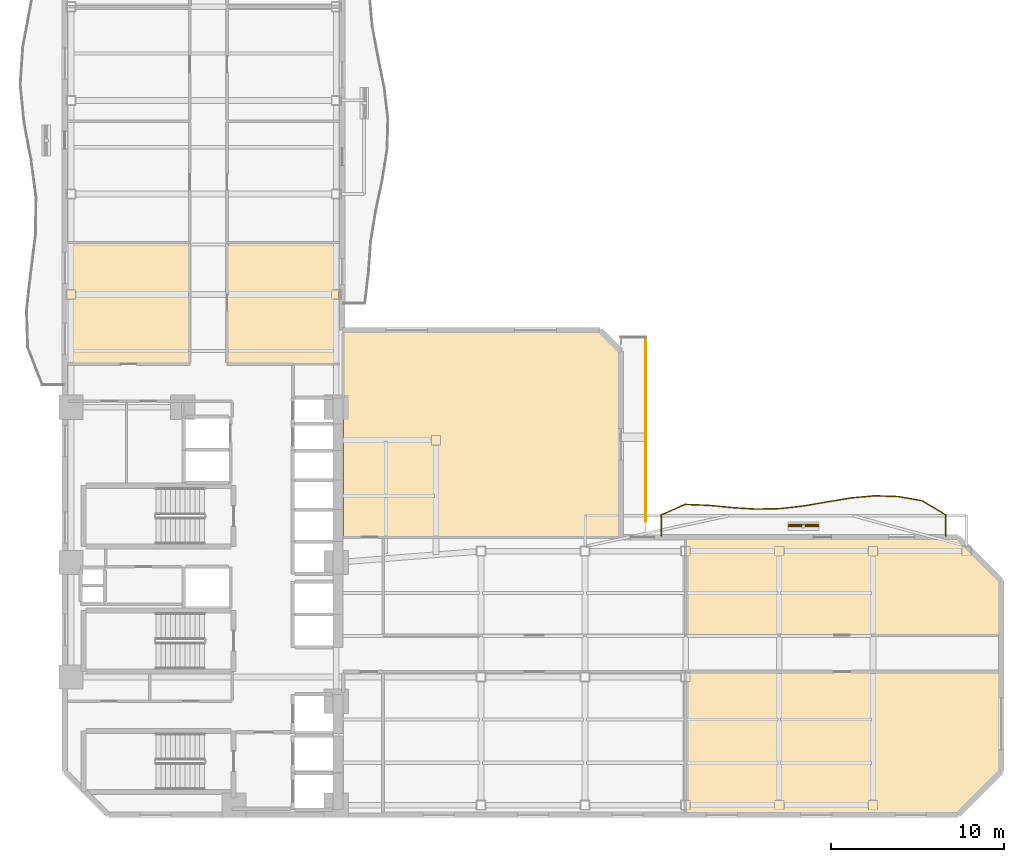
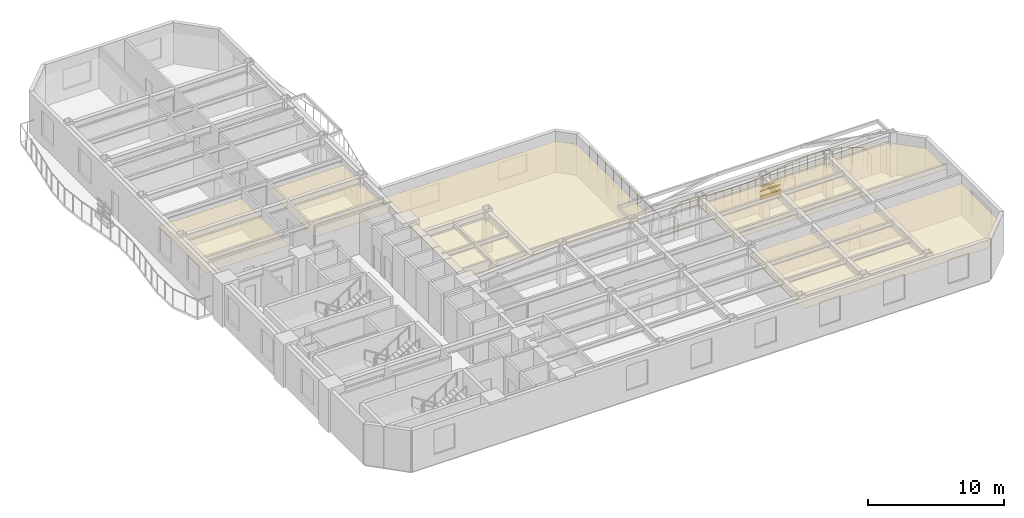
# One storey, part 9 of 10: 5 coverings, 4 shading devices, 2 railings.
"""IFC4 building model written with IfcOpenShell, lengths in metres."""

from ifc_helpers import new_model, si_unit, direction, frame, origin, origin_2d, place, context, subcontext, project, spatial, polyline, rectangle, outline, extrude, material, layer, layer_set, material_profile, profile_set, type_object, element, save


model = new_model("IFC4")

# Units and contexts
model_context = context("Model", 3, precision=1e-05, world=origin(), true_north=direction((0.0, 1.0)))
body_context = subcontext(model_context, "Body", "Model", "MODEL_VIEW")
ifc_project = project(units=[si_unit("LENGTHUNIT", "METRE"), si_unit("AREAUNIT", "SQUARE_METRE"), si_unit("VOLUMEUNIT", "CUBIC_METRE"), si_unit("PLANEANGLEUNIT", "RADIAN"), si_unit("MASSUNIT", "GRAM", prefix="KILO")], contexts=[model_context])

# Site, building, storey
site_placement = place(None, origin())
site = spatial("IfcSite", under=ifc_project, at=site_placement, CompositionType="ELEMENT")
building_placement = place(site_placement, origin())
building = spatial("IfcBuilding", under=site, at=building_placement, Name="Mawjaban Terraces University", CompositionType="ELEMENT")
storey_placement = place(building_placement, frame((0.0, 0.0, 42.699951171875)))
storey = spatial("IfcBuildingStorey", under=building, at=storey_placement, Name="L09", CompositionType="ELEMENT", Elevation=42.699951171875)

# Coverings
ifc_material_1 = material(Name="Acoustic mineral fibre ceiling tile", Category="masonry")
ifc_layer_1 = layer(ifc_material_1, 0.02001953125)
ifc_layer_set_1 = layer_set([ifc_layer_1], Name="Acoustic mineral fibre ceiling tile")
covering_type = type_object("IfcCoveringType", Name="AcousticMineralCeiling_20", PredefinedType="CEILING", material=ifc_layer_set_1)
covering_1_placement = place(storey_placement, frame((0.0, 0.0, 2.75)))
element("IfcCovering", 1, at=covering_1_placement, inside=storey, type_object=covering_type, Name="L09 Design Studio 4 Acoustic Ceiling", PredefinedType="CEILING", context=body_context, shape_type="SweptSolid", body=[
    extrude(outline(polyline([(57.830078125, 0.114990234375), (73.452880859375, 0.114990234375), (75.885009765625, 2.547119140625), (75.885009765625, 8.219970703125), (57.830078125, 8.219970703125), (57.830078125, 0.114990234375)])), origin(), (0.0, 0.0, 1.0), 0.02001953125),
])
covering_2_placement = place(storey_placement, frame((0.0, 0.0, 2.75)))
element("IfcCovering", 2, at=covering_2_placement, inside=storey, type_object=covering_type, Name="L09 Faculty Office 5 Acoustic Ceiling", PredefinedType="CEILING", context=body_context, shape_type="SweptSolid", body=[
    extrude(outline(polyline([(75.885009765625, 10.3798828125), (75.885009765625, 13.452880859375), (73.452880859375, 15.885009765625), (57.830078125, 15.885009765625), (57.830078125, 10.3798828125), (75.885009765625, 10.3798828125)])), origin(), (0.0, 0.0, 1.0), 0.02001953125),
])
covering_3_placement = place(storey_placement, frame((0.0, 0.0, 2.75)))
element("IfcCovering", 3, at=covering_3_placement, inside=storey, type_object=covering_type, Name="L09 Departmental Office 6 Acoustic Ceiling", PredefinedType="CEILING", context=body_context, shape_type="SweptSolid", body=[
    extrude(outline(polyline([(22.114990234375, 32.969970703125), (22.114990234375, 26.030029296875), (29.169921875, 26.030029296875), (29.169921875, 32.969970703125), (22.114990234375, 32.969970703125)])), origin(), (0.0, 0.0, 1.0), 0.02001953125),
])
covering_4_placement = place(storey_placement, frame((0.0, 0.0, 2.75)))
element("IfcCovering", 4, at=covering_4_placement, inside=storey, type_object=covering_type, Name="L09 Academic Workspace 7 Acoustic Ceiling", PredefinedType="CEILING", context=body_context, shape_type="SweptSolid", body=[
    extrude(outline(polyline([(37.820068359375, 26.030029296875), (37.820068359375, 32.969970703125), (31.3798828125, 32.969970703125), (31.3798828125, 26.030029296875), (37.820068359375, 26.030029296875)])), origin(), (0.0, 0.0, 1.0), 0.02001953125),
])
covering_5_placement = place(storey_placement, frame((0.0, 0.0, 2.75)))
element("IfcCovering", 5, at=covering_5_placement, inside=storey, type_object=covering_type, Name="L09 Terrace Collaborative Study Room Acoustic Ceiling", PredefinedType="CEILING", context=body_context, shape_type="SweptSolid", body=[
    extrude(outline(polyline([(53.93505859375, 16.030029296875), (53.93505859375, 26.699951171875), (52.802978515625, 27.83203125), (38.080078125, 27.83203125), (38.080078125, 16.030029296875), (53.93505859375, 16.030029296875)])), origin(), (0.0, 0.0, 1.0), 0.02001953125),
])

# Railings
ifc_material_2 = material(Name="Galvanised powder-coated steel S355", Category="steel")
railing_type = type_object("IfcRailingType", Name="BalconyBalustrade_1600", PredefinedType="BALUSTRADE", material=ifc_material_2)
railing_1_placement = place(storey_placement, frame((56.39990234375, 16.080078125, 0.0)))
element("IfcRailing", 6, at=railing_1_placement, inside=storey, type_object=railing_type, Name="L09 Balcony Guardrail inner_north", PredefinedType="BALUSTRADE", context=body_context, shape_type="SweptSolid", body=[
    extrude(rectangle(XDim=0.048095703125, YDim=0.048095703125, at=origin_2d()), frame((0.0, 0.0, 1.576171875), z_axis=(0.0, 1.0, 0.0), x_axis=(-1.0, 0.0, 0.0)), (0.0, 0.0, 1.0), 1.219970703125),
    extrude(rectangle(XDim=0.048095703125, YDim=0.048095703125, at=origin_2d()), frame((0.0, 1.219970703125, 1.576171875), z_axis=(0.91495329069, 0.403559755001, 0.0), x_axis=(-0.403559755001, 0.91495329069, 0.0)), (0.0, 0.0, 1.0), 1.494384765625),
    extrude(rectangle(XDim=0.048095703125, YDim=0.048095703125, at=origin_2d()), frame((1.3671875, 1.822998046875, 1.576171875), z_axis=(0.999220804316, -0.039468775291, 0.0), x_axis=(0.039468775291, 0.999220804316, 0.0)), (0.0, 0.0, 1.0), 1.366943359375),
    extrude(rectangle(XDim=0.048095703125, YDim=0.048095703125, at=origin_2d()), frame((2.733154296875, 1.76904296875, 1.576171875), z_axis=(0.995432127398, -0.095471879338, 0.0), x_axis=(0.095471879338, 0.995432127398, 0.0)), (0.0, 0.0, 1.0), 1.373291015625),
    extrude(rectangle(XDim=0.048095703125, YDim=0.048095703125, at=origin_2d()), frame((4.10009765625, 1.637939453125, 1.576171875), z_axis=(0.997984723297, -0.063454645739, 0.0), x_axis=(0.063454645739, 0.997984723297, 0.0)), (0.0, 0.0, 1.0), 1.36962890625),
    extrude(rectangle(XDim=0.048095703125, YDim=0.048095703125, at=origin_2d()), frame((5.467041015625, 1.551025390625, 1.576171875), z_axis=(0.999777674649, 0.021085570261, 0.0), x_axis=(-0.021085570261, 0.999777674649, 0.0)), (0.0, 0.0, 1.0), 1.3662109375),
    extrude(rectangle(XDim=0.048095703125, YDim=0.048095703125, at=origin_2d()), frame((6.8330078125, 1.579833984375, 1.576171875), z_axis=(0.993632370546, 0.112670813446, 0.0), x_axis=(-0.112670813446, 0.993632370546, 0.0)), (0.0, 0.0, 1.0), 1.3759765625),
    extrude(rectangle(XDim=0.048095703125, YDim=0.048095703125, at=origin_2d()), frame((8.2001953125, 1.73486328125, 1.576171875), z_axis=(0.9856465356, 0.168822116028, 0.0), x_axis=(-0.168822116028, 0.9856465356, 0.0)), (0.0, 0.0, 1.0), 1.386962890625),
    extrude(rectangle(XDim=0.048095703125, YDim=0.048095703125, at=origin_2d()), frame((9.567138671875, 1.968994140625, 1.576171875), z_axis=(0.986607548864, 0.163112061251, 0.0), x_axis=(-0.163112061251, 0.986607548864, 0.0)), (0.0, 0.0, 1.0), 1.384521484375),
    extrude(rectangle(XDim=0.048095703125, YDim=0.048095703125, at=origin_2d()), frame((10.93310546875, 2.19482421875, 1.576171875), z_axis=(0.995844955857, 0.091064943275, 0.0), x_axis=(-0.091064943275, 0.995844955857, 0.0)), (0.0, 0.0, 1.0), 1.37255859375),
    extrude(rectangle(XDim=0.048095703125, YDim=0.048095703125, at=origin_2d()), frame((12.300048828125, 2.31982421875, 1.576171875), z_axis=(0.999483634051, -0.032131997523, 0.0), x_axis=(0.032131997523, 0.999483634051, 0.0)), (0.0, 0.0, 1.0), 1.36767578125),
    extrude(rectangle(XDim=0.048095703125, YDim=0.048095703125, at=origin_2d()), frame((13.6669921875, 2.27587890625, 1.576171875), z_axis=(0.984919688155, -0.173012161089, 0.0), x_axis=(0.173012161089, 0.984919688155, 0.0)), (0.0, 0.0, 1.0), 1.38720703125),
    extrude(rectangle(XDim=0.048095703125, YDim=0.048095703125, at=origin_2d()), frame((15.033203125, 2.035888671875, 1.576171875), z_axis=(0.858667951659, -0.512532290488, 0.0), x_axis=(0.512532290488, 0.858667951659, 0.0)), (0.0, 0.0, 1.0), 1.592041015625),
    extrude(rectangle(XDim=0.048095703125, YDim=0.048095703125, at=origin_2d()), frame((16.400146484375, 1.219970703125, 1.576171875), z_axis=(0.0, -1.0, 0.0), x_axis=(1.0, 0.0, 0.0)), (0.0, 0.0, 1.0), 1.219970703125),
    extrude(rectangle(XDim=0.0419921875, YDim=0.0419921875, at=origin_2d()), origin(), (0.0, 0.0, 1.0), 1.552001953125),
    extrude(rectangle(XDim=0.0419921875, YDim=0.0419921875, at=origin_2d()), frame((0.0, 0.60986328125, 0.0)), (0.0, 0.0, 1.0), 1.552001953125),
    extrude(rectangle(XDim=0.0419921875, YDim=0.0419921875, at=origin_2d()), frame((0.0, 1.219970703125, 0.0)), (0.0, 0.0, 1.0), 1.552001953125),
    extrude(rectangle(XDim=0.0419921875, YDim=0.0419921875, at=origin_2d()), frame((0.68359375, 1.521484375, 0.0)), (0.0, 0.0, 1.0), 1.552001953125),
    extrude(rectangle(XDim=0.0419921875, YDim=0.0419921875, at=origin_2d()), frame((1.3671875, 1.822998046875, 0.0)), (0.0, 0.0, 1.0), 1.552001953125),
    extrude(rectangle(XDim=0.0419921875, YDim=0.0419921875, at=origin_2d()), frame((2.05029296875, 1.7958984375, 0.0)), (0.0, 0.0, 1.0), 1.552001953125),
    extrude(rectangle(XDim=0.0419921875, YDim=0.0419921875, at=origin_2d()), frame((2.733154296875, 1.76904296875, 0.0)), (0.0, 0.0, 1.0), 1.552001953125),
    extrude(rectangle(XDim=0.0419921875, YDim=0.0419921875, at=origin_2d()), frame((3.41650390625, 1.70361328125, 0.0)), (0.0, 0.0, 1.0), 1.552001953125),
    extrude(rectangle(XDim=0.0419921875, YDim=0.0419921875, at=origin_2d()), frame((4.10009765625, 1.637939453125, 0.0)), (0.0, 0.0, 1.0), 1.552001953125),
    extrude(rectangle(XDim=0.0419921875, YDim=0.0419921875, at=origin_2d()), frame((4.78369140625, 1.594482421875, 0.0)), (0.0, 0.0, 1.0), 1.552001953125),
    extrude(rectangle(XDim=0.0419921875, YDim=0.0419921875, at=origin_2d()), frame((5.467041015625, 1.551025390625, 0.0)), (0.0, 0.0, 1.0), 1.552001953125),
    extrude(rectangle(XDim=0.0419921875, YDim=0.0419921875, at=origin_2d()), frame((6.14990234375, 1.5654296875, 0.0)), (0.0, 0.0, 1.0), 1.552001953125),
    extrude(rectangle(XDim=0.0419921875, YDim=0.0419921875, at=origin_2d()), frame((6.8330078125, 1.579833984375, 0.0)), (0.0, 0.0, 1.0), 1.552001953125),
    extrude(rectangle(XDim=0.0419921875, YDim=0.0419921875, at=origin_2d()), frame((7.5166015625, 1.6572265625, 0.0)), (0.0, 0.0, 1.0), 1.552001953125),
    extrude(rectangle(XDim=0.0419921875, YDim=0.0419921875, at=origin_2d()), frame((8.2001953125, 1.73486328125, 0.0)), (0.0, 0.0, 1.0), 1.552001953125),
    extrude(rectangle(XDim=0.0419921875, YDim=0.0419921875, at=origin_2d()), frame((8.8837890625, 1.85205078125, 0.0)), (0.0, 0.0, 1.0), 1.552001953125),
    extrude(rectangle(XDim=0.0419921875, YDim=0.0419921875, at=origin_2d()), frame((9.567138671875, 1.968994140625, 0.0)), (0.0, 0.0, 1.0), 1.552001953125),
    extrude(rectangle(XDim=0.0419921875, YDim=0.0419921875, at=origin_2d()), frame((10.25, 2.08203125, 0.0)), (0.0, 0.0, 1.0), 1.552001953125),
    extrude(rectangle(XDim=0.0419921875, YDim=0.0419921875, at=origin_2d()), frame((10.93310546875, 2.19482421875, 0.0)), (0.0, 0.0, 1.0), 1.552001953125),
    extrude(rectangle(XDim=0.0419921875, YDim=0.0419921875, at=origin_2d()), frame((11.61669921875, 2.25732421875, 0.0)), (0.0, 0.0, 1.0), 1.552001953125),
    extrude(rectangle(XDim=0.0419921875, YDim=0.0419921875, at=origin_2d()), frame((12.300048828125, 2.31982421875, 0.0)), (0.0, 0.0, 1.0), 1.552001953125),
    extrude(rectangle(XDim=0.0419921875, YDim=0.0419921875, at=origin_2d()), frame((12.9833984375, 2.2978515625, 0.0)), (0.0, 0.0, 1.0), 1.552001953125),
    extrude(rectangle(XDim=0.0419921875, YDim=0.0419921875, at=origin_2d()), frame((13.6669921875, 2.27587890625, 0.0)), (0.0, 0.0, 1.0), 1.552001953125),
    extrude(rectangle(XDim=0.0419921875, YDim=0.0419921875, at=origin_2d()), frame((14.35009765625, 2.15576171875, 0.0)), (0.0, 0.0, 1.0), 1.552001953125),
    extrude(rectangle(XDim=0.0419921875, YDim=0.0419921875, at=origin_2d()), frame((15.033203125, 2.035888671875, 0.0)), (0.0, 0.0, 1.0), 1.552001953125),
    extrude(rectangle(XDim=0.0419921875, YDim=0.0419921875, at=origin_2d()), frame((15.716796875, 1.6279296875, 0.0)), (0.0, 0.0, 1.0), 1.552001953125),
    extrude(rectangle(XDim=0.0419921875, YDim=0.0419921875, at=origin_2d()), frame((16.400146484375, 1.219970703125, 0.0)), (0.0, 0.0, 1.0), 1.552001953125),
    extrude(rectangle(XDim=0.0419921875, YDim=0.0419921875, at=origin_2d()), frame((16.400146484375, 0.60986328125, 0.0)), (0.0, 0.0, 1.0), 1.552001953125),
    extrude(rectangle(XDim=0.0419921875, YDim=0.0419921875, at=origin_2d()), frame((16.400146484375, 0.0, 0.0)), (0.0, 0.0, 1.0), 1.552001953125),
])
railing_2_placement = place(storey_placement, frame((55.5, 16.927978515625, 0.0)))
element("IfcRailing", 7, at=railing_2_placement, inside=storey, type_object=railing_type, Name="L09 Terrace Guardrail TER-L09-CLIMB.1", PredefinedType="BALUSTRADE", context=body_context, shape_type="SweptSolid", body=[
    extrude(rectangle(XDim=0.048095703125, YDim=0.048095703125, at=origin_2d()), frame((0.0, 0.0, 1.576171875), z_axis=(0.0, 1.0, 0.0), x_axis=(-1.0, 0.0, 0.0)), (0.0, 0.0, 1.0), 10.619140625),
    extrude(rectangle(XDim=0.0419921875, YDim=0.0419921875, at=origin_2d()), origin(), (0.0, 0.0, 1.0), 1.552001953125),
    extrude(rectangle(XDim=0.0419921875, YDim=0.0419921875, at=origin_2d()), frame((0.0, 1.179931640625, 0.0)), (0.0, 0.0, 1.0), 1.552001953125),
    extrude(rectangle(XDim=0.0419921875, YDim=0.0419921875, at=origin_2d()), frame((0.0, 2.35986328125, 0.0)), (0.0, 0.0, 1.0), 1.552001953125),
    extrude(rectangle(XDim=0.0419921875, YDim=0.0419921875, at=origin_2d()), frame((0.0, 3.539794921875, 0.0)), (0.0, 0.0, 1.0), 1.552001953125),
    extrude(rectangle(XDim=0.0419921875, YDim=0.0419921875, at=origin_2d()), frame((0.0, 4.7197265625, 0.0)), (0.0, 0.0, 1.0), 1.552001953125),
    extrude(rectangle(XDim=0.0419921875, YDim=0.0419921875, at=origin_2d()), frame((0.0, 5.8994140625, 0.0)), (0.0, 0.0, 1.0), 1.552001953125),
    extrude(rectangle(XDim=0.0419921875, YDim=0.0419921875, at=origin_2d()), frame((0.0, 7.079345703125, 0.0)), (0.0, 0.0, 1.0), 1.552001953125),
    extrude(rectangle(XDim=0.0419921875, YDim=0.0419921875, at=origin_2d()), frame((0.0, 8.25927734375, 0.0)), (0.0, 0.0, 1.0), 1.552001953125),
    extrude(rectangle(XDim=0.0419921875, YDim=0.0419921875, at=origin_2d()), frame((0.0, 9.439208984375, 0.0)), (0.0, 0.0, 1.0), 1.552001953125),
    extrude(rectangle(XDim=0.0419921875, YDim=0.0419921875, at=origin_2d()), frame((0.0, 10.619140625, 0.0)), (0.0, 0.0, 1.0), 1.552001953125),
])

# Shading devices
ifc_material_3 = material(Name="Glazed architectural terracotta ceramic", Category="masonry")
ifc_material_profile = material_profile(ifc_material_3, rectangle(XDim=0.06494140625, YDim=0.110107421875, at=origin_2d()), Name="TBAG110X65")
ifc_profile_set = profile_set([ifc_material_profile], Name="Glazed architectural terracotta ceramic")
shading_device_type_1 = type_object("IfcShadingDeviceType", Name="TerracottaBaguette_110x65", PredefinedType="USERDEFINED", material=ifc_profile_set)
for number, where, z_axis, x_axis, name in (
    (8, (63.75, 16.72998046875, 0.679931640625), (1.0, 0.0, 0.0), (0.0, 1.0, 0.0), "L09 Horizontal Terracotta Baguette inner_north.1"),
    (9, (63.75, 16.72998046875, 1.150146484375), (1.0, 0.0, 0.0), (0.0, 1.0, 0.0), "L09 Horizontal Terracotta Baguette inner_north.2"),
    (10, (63.75, 16.72998046875, 1.6201171875), (1.0, 0.0, 0.0), (0.0, 1.0, 0.0), "L09 Horizontal Terracotta Baguette inner_north.3"),
):
    element("IfcShadingDevice", number, at=place(storey_placement, frame(where, z_axis=z_axis, x_axis=x_axis)), inside=storey, type_object=shading_device_type_1, Name=name, ObjectType="BAGUETTE", PredefinedType="USERDEFINED", context=body_context, shape_type="SweptSolid", body=[
        extrude(rectangle(XDim=0.06494140625, YDim=0.110107421875, at=origin_2d()), origin(), (0.0, 0.0, 1.0), 1.699951171875),
    ])
ifc_layer_2 = layer(ifc_material_3, 0.080078125)
ifc_layer_set_2 = layer_set([ifc_layer_2], Name="Glazed architectural terracotta ceramic")
shading_device_type_2 = type_object("IfcShadingDeviceType", Name="TerracottaScreen_Perforated", PredefinedType="USERDEFINED", material=ifc_layer_set_2)
shading_device_placement = place(storey_placement, frame((64.60009765625, 16.64501953125, 0.440185546875), z_axis=(0.0, 0.0, 1.0), x_axis=(1.0, 0.0, 0.0)))
element("IfcShadingDevice", 11, at=shading_device_placement, inside=storey, type_object=shading_device_type_2, Name="L09 Balcony Perforated Terracotta Screen inner_north", ObjectType="SCREEN", PredefinedType="USERDEFINED", context=body_context, shape_type="SweptSolid", body=[
    extrude(rectangle(XDim=1.75, YDim=0.080078125, at=origin_2d()), origin(), (0.0, 0.0, 1.0), 1.14990234375),
])

save(model, "model.ifc")
